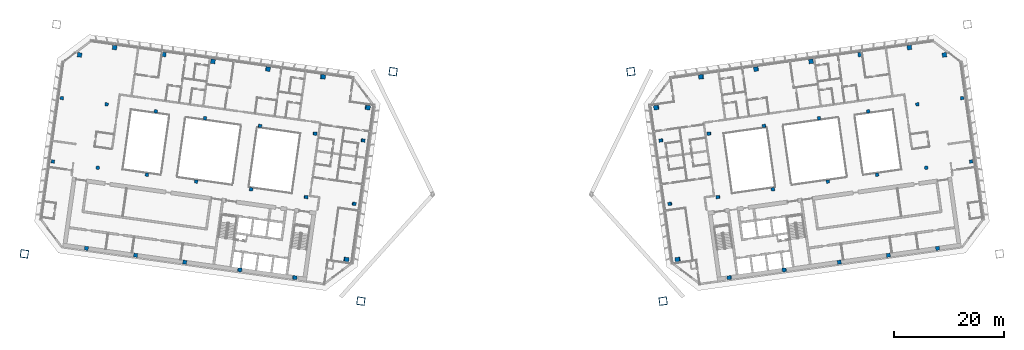
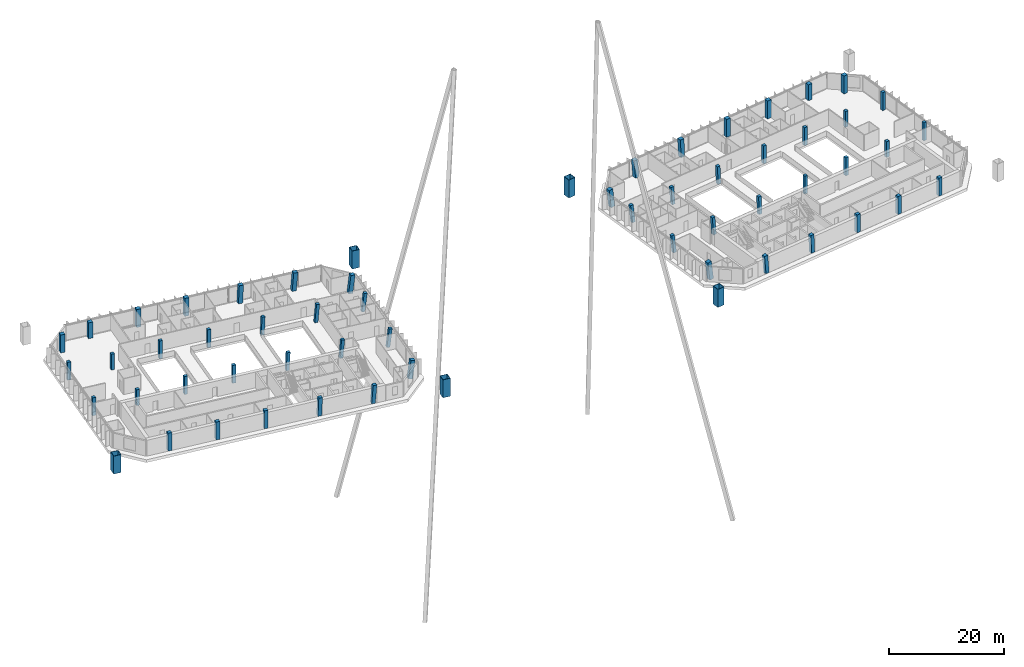
# One storey, part 1 of 26: 58 columns, 1 member.
"""IFC4 building model written with IfcOpenShell, lengths in metres."""

from ifc_helpers import new_model, si_unit, direction, frame, origin, origin_2d, place, context, subcontext, project, spatial, rectangle, hollow_rectangle, extrude, material, material_profile, profile_set, type_object, element, save


model = new_model("IFC4")

# Units and contexts
model_context = context("Model", 3, precision=1e-05, world=origin(), true_north=direction((0.0, 1.0)))
body_context = subcontext(model_context, "Body", "Model", "MODEL_VIEW")
ifc_project = project(units=[si_unit("LENGTHUNIT", "METRE"), si_unit("AREAUNIT", "SQUARE_METRE"), si_unit("VOLUMEUNIT", "CUBIC_METRE"), si_unit("PLANEANGLEUNIT", "RADIAN"), si_unit("MASSUNIT", "GRAM", prefix="KILO")], contexts=[model_context])

# Site, building, storey
site_placement = place(None, origin())
site = spatial("IfcSite", under=ifc_project, at=site_placement, CompositionType="ELEMENT")
building_placement = place(site_placement, origin())
building = spatial("IfcBuilding", under=site, at=building_placement, Name="Mirante Cascada Hotel Towers", CompositionType="ELEMENT")
storey_placement = place(building_placement, frame((0.0, 0.0, 203.0)))
storey = spatial("IfcBuildingStorey", under=building, at=storey_placement, Name="L48", CompositionType="ELEMENT", Elevation=203.0)

# Columns
ifc_material_1 = material(Name="Steel ASTM A572 Gr 50", Category="steel")
ifc_material_profile_1 = material_profile(ifc_material_1, hollow_rectangle(XDim=1.4, YDim=1.4, WallThickness=0.06, at=origin_2d()), Name="Box column 1400x1400x60 ASTM A572 Gr 50")
ifc_profile_set_1 = profile_set([ifc_material_profile_1], Name="Steel ASTM A572 Gr 50")
column_type_1 = type_object("IfcColumnType", Name="Box column 1400x1400x60 ASTM A572 Gr 50", PredefinedType="COLUMN", material=ifc_profile_set_1)
for number, where, z_axis, x_axis, name in (
    (1, (-21.5451, 18.0181, 0.0), (0.0, 0.0, 1.0), (-0.9902681, 0.1391731, 0.0), "Mega column MC1 T1 L48"),
    (2, (-27.3903, -23.5731, 0.0), (0.0, 0.0, 1.0), (-0.9902681, 0.1391731, 0.0), "Mega column MC2 T1 L48"),
    (3, (21.5451, 18.0181, 0.0), (0.0, 0.0, 1.0), (0.9902681, 0.1391731, 0.0), "Mega column MC1 T2 L48"),
    (4, (27.3903, -23.5731, 0.0), (0.0, 0.0, 1.0), (0.9902681, 0.1391731, 0.0), "Mega column MC2 T2 L48"),
):
    element("IfcColumn", number, at=place(storey_placement, frame(where, z_axis=z_axis, x_axis=x_axis)), inside=storey, type_object=column_type_1, Name=name, PredefinedType="COLUMN", context=body_context, shape_type="SweptSolid", body=[
        extrude(hollow_rectangle(XDim=1.4, YDim=1.4, WallThickness=0.06, at=origin_2d()), origin(), (0.0, 0.0, 1.0), 3.8),
    ])
ifc_material_2 = material(Name="Concrete C50/60", Category="concrete")
ifc_material_profile_2 = material_profile(ifc_material_2, rectangle(XDim=0.6, YDim=0.6, at=origin_2d()), Name="RC column 600x600 C50/60")
ifc_profile_set_2 = profile_set([ifc_material_profile_2], Name="Concrete C50/60")
column_type_2 = type_object("IfcColumnType", Name="RC column 600x600 C50/60", PredefinedType="COLUMN", material=ifc_profile_set_2)
for number, where, z_axis, x_axis, name in (
    (5, (-27.0607, 5.5646, 0.004), (0.1156587, -0.0162645, 0.9931558), (0.1392548, 0.9902566, 0.0), "Column T1 L48 2"),
    (6, (-28.6752, -5.9226, 0.004), (0.1156845, -0.0162383, 0.9931533), (0.1390041, 0.9902918, 0.0), "Column T1 L48 3"),
):
    element("IfcColumn", number, at=place(storey_placement, frame(where, z_axis=z_axis, x_axis=x_axis)), inside=storey, type_object=column_type_2, Name=name, PredefinedType="COLUMN", context=body_context, shape_type="SweptSolid", body=[
        extrude(rectangle(XDim=0.6, YDim=0.6, at=origin_2d()), origin(), (0.0, 0.0, 1.0), 3.8181),
    ])
column_1_placement = place(storey_placement, frame((-35.7632, 6.7876, 0.004), z_axis=(0.0835095, -0.011746, 0.9964378), x_axis=(0.1392835, 0.9902526, 0.0)))
element("IfcColumn", 7, at=column_1_placement, inside=storey, type_object=column_type_2, Name="Column T1 L48 6", PredefinedType="COLUMN", context=body_context, shape_type="SweptSolid", body=[
    extrude(rectangle(XDim=0.6, YDim=0.6, at=origin_2d()), origin(), (0.0, 0.0, 1.0), 3.8056),
])
column_2_placement = place(storey_placement, frame((-37.3776, -4.6995, 0.004), z_axis=(0.0834834, -0.011746, 0.9964399), x_axis=(0.1393265, 0.9902465, 0.0)))
element("IfcColumn", 8, at=column_2_placement, inside=storey, type_object=column_type_2, Name="Column T1 L48 7", PredefinedType="COLUMN", context=body_context, shape_type="SweptSolid", body=[
    extrude(rectangle(XDim=0.6, YDim=0.6, at=origin_2d()), origin(), (0.0, 0.0, 1.0), 3.8055),
])
for number, where, z_axis, x_axis, name in (
    (9, (-45.7005, 8.1842, 0.004), (0.0418665, -0.0058755, 0.9991059), (0.1389779, 0.9902955, 0.0), "Column T1 L48 10"),
    (10, (-47.3149, -3.3029, 0.004), (0.0418665, -0.0058755, 0.9991059), (0.1389779, 0.9902955, 0.0), "Column T1 L48 11"),
):
    element("IfcColumn", number, at=place(storey_placement, frame(where, z_axis=z_axis, x_axis=x_axis)), inside=storey, type_object=column_type_2, Name=name, PredefinedType="COLUMN", context=body_context, shape_type="SweptSolid", body=[
        extrude(rectangle(XDim=0.6, YDim=0.6, at=origin_2d()), origin(), (0.0, 0.0, 1.0), 3.7954),
    ])
for number, where, z_axis, x_axis, name in (
    (11, (-55.6378, 9.5808, 0.0), (0.0, 0.0, 1.0), (-0.9902681, 0.1391731, 0.0), "Column T1 L48 14"),
    (12, (-57.2522, -1.9063, 0.0), (0.0, 0.0, 1.0), (-0.9902681, 0.1391731, 0.0), "Column T1 L48 15"),
    (13, (-64.5502, 10.8333, 0.0), (0.0, 0.0, 1.0), (-0.9902681, 0.1391731, 0.0), "Column T1 L48 18"),
    (14, (-66.1646, -0.6538, 0.0), (0.0, 0.0, 1.0), (-0.9902681, 0.1391731, 0.0), "Column T1 L48 19"),
):
    element("IfcColumn", number, at=place(storey_placement, frame(where, z_axis=z_axis, x_axis=x_axis)), inside=storey, type_object=column_type_2, Name=name, PredefinedType="COLUMN", context=body_context, shape_type="SweptSolid", body=[
        extrude(rectangle(XDim=0.6, YDim=0.6, at=origin_2d()), origin(), (0.0, 0.0, 1.0), 3.8),
    ])
for number, where, z_axis, x_axis, name in (
    (15, (-73.4626, 12.0859, 0.0), (0.0, 0.0, 1.0), (-0.9902681, 0.1391731, 0.0), "Column T1 L48 22"),
    (16, (-75.077, 0.5988, 0.0), (0.0, 0.0, 1.0), (-0.9902681, 0.1391731, 0.0), "Column T1 L48 23"),
):
    element("IfcColumn", number, at=place(storey_placement, frame(where, z_axis=z_axis, x_axis=x_axis)), inside=storey, type_object=column_type_2, Name=name, PredefinedType="COLUMN", context=body_context, shape_type="SweptSolid", body=[
        extrude(rectangle(XDim=0.6, YDim=0.6, at=origin_2d()), origin(), (0.0, 0.0, 1.0), 3.3539),
    ])
for number, where, z_axis, x_axis, name in (
    (17, (-81.5828, 13.2271, 0.0), (0.0, 0.0, 1.0), (-0.9902681, 0.1391731, 0.0), "Column T1 L48 26"),
    (18, (-83.1972, 1.74, 0.0), (0.0, 0.0, 1.0), (-0.9902681, 0.1391731, 0.0), "Column T1 L48 27"),
):
    element("IfcColumn", number, at=place(storey_placement, frame(where, z_axis=z_axis, x_axis=x_axis)), inside=storey, type_object=column_type_2, Name=name, PredefinedType="COLUMN", context=body_context, shape_type="SweptSolid", body=[
        extrude(rectangle(XDim=0.6, YDim=0.6, at=origin_2d()), origin(), (0.0, 0.0, 1.0), 3.8),
    ])
for number, where, z_axis, x_axis, name in (
    (19, (27.0607, 5.5646, 0.004), (-0.1156587, -0.0162645, 0.9931558), (0.1392548, -0.9902566, 0.0), "Column T2 L48 2"),
    (20, (28.6752, -5.9226, 0.004), (-0.1156845, -0.0162383, 0.9931533), (0.1390041, -0.9902918, 0.0), "Column T2 L48 3"),
):
    element("IfcColumn", number, at=place(storey_placement, frame(where, z_axis=z_axis, x_axis=x_axis)), inside=storey, type_object=column_type_2, Name=name, PredefinedType="COLUMN", context=body_context, shape_type="SweptSolid", body=[
        extrude(rectangle(XDim=0.6, YDim=0.6, at=origin_2d()), origin(), (0.0, 0.0, 1.0), 3.8181),
    ])
column_3_placement = place(storey_placement, frame((35.7632, 6.7876, 0.004), z_axis=(-0.0835095, -0.011746, 0.9964378), x_axis=(0.1392835, -0.9902526, 0.0)))
element("IfcColumn", 21, at=column_3_placement, inside=storey, type_object=column_type_2, Name="Column T2 L48 6", PredefinedType="COLUMN", context=body_context, shape_type="SweptSolid", body=[
    extrude(rectangle(XDim=0.6, YDim=0.6, at=origin_2d()), origin(), (0.0, 0.0, 1.0), 3.8056),
])
column_4_placement = place(storey_placement, frame((37.3776, -4.6995, 0.004), z_axis=(-0.0834834, -0.011746, 0.9964399), x_axis=(0.1393265, -0.9902465, 0.0)))
element("IfcColumn", 22, at=column_4_placement, inside=storey, type_object=column_type_2, Name="Column T2 L48 7", PredefinedType="COLUMN", context=body_context, shape_type="SweptSolid", body=[
    extrude(rectangle(XDim=0.6, YDim=0.6, at=origin_2d()), origin(), (0.0, 0.0, 1.0), 3.8055),
])
for number, where, z_axis, x_axis, name in (
    (23, (45.7005, 8.1842, 0.004), (-0.0418665, -0.0058755, 0.9991059), (0.1389779, -0.9902955, 0.0), "Column T2 L48 10"),
    (24, (47.3149, -3.3029, 0.004), (-0.0418665, -0.0058755, 0.9991059), (0.1389779, -0.9902955, 0.0), "Column T2 L48 11"),
):
    element("IfcColumn", number, at=place(storey_placement, frame(where, z_axis=z_axis, x_axis=x_axis)), inside=storey, type_object=column_type_2, Name=name, PredefinedType="COLUMN", context=body_context, shape_type="SweptSolid", body=[
        extrude(rectangle(XDim=0.6, YDim=0.6, at=origin_2d()), origin(), (0.0, 0.0, 1.0), 3.7954),
    ])
for number, where, z_axis, x_axis, name in (
    (25, (55.6378, 9.5808, 0.0), (0.0, 0.0, 1.0), (0.9902681, 0.1391731, 0.0), "Column T2 L48 14"),
    (26, (57.2522, -1.9063, 0.0), (0.0, 0.0, 1.0), (0.9902681, 0.1391731, 0.0), "Column T2 L48 15"),
    (27, (64.5502, 10.8333, 0.0), (0.0, 0.0, 1.0), (0.9902681, 0.1391731, 0.0), "Column T2 L48 18"),
    (28, (66.1646, -0.6538, 0.0), (0.0, 0.0, 1.0), (0.9902681, 0.1391731, 0.0), "Column T2 L48 19"),
):
    element("IfcColumn", number, at=place(storey_placement, frame(where, z_axis=z_axis, x_axis=x_axis)), inside=storey, type_object=column_type_2, Name=name, PredefinedType="COLUMN", context=body_context, shape_type="SweptSolid", body=[
        extrude(rectangle(XDim=0.6, YDim=0.6, at=origin_2d()), origin(), (0.0, 0.0, 1.0), 3.8),
    ])
for number, where, z_axis, x_axis, name in (
    (29, (73.4626, 12.0859, 0.0), (0.0, 0.0, 1.0), (0.9902681, 0.1391731, 0.0), "Column T2 L48 22"),
    (30, (75.077, 0.5988, 0.0), (0.0, 0.0, 1.0), (0.9902681, 0.1391731, 0.0), "Column T2 L48 23"),
):
    element("IfcColumn", number, at=place(storey_placement, frame(where, z_axis=z_axis, x_axis=x_axis)), inside=storey, type_object=column_type_2, Name=name, PredefinedType="COLUMN", context=body_context, shape_type="SweptSolid", body=[
        extrude(rectangle(XDim=0.6, YDim=0.6, at=origin_2d()), origin(), (0.0, 0.0, 1.0), 3.3539),
    ])
for number, where, z_axis, x_axis, name in (
    (31, (81.5828, 13.2271, 0.0), (0.0, 0.0, 1.0), (0.9902681, 0.1391731, 0.0), "Column T2 L48 26"),
    (32, (83.1972, 1.74, 0.0), (0.0, 0.0, 1.0), (0.9902681, 0.1391731, 0.0), "Column T2 L48 27"),
):
    element("IfcColumn", number, at=place(storey_placement, frame(where, z_axis=z_axis, x_axis=x_axis)), inside=storey, type_object=column_type_2, Name=name, PredefinedType="COLUMN", context=body_context, shape_type="SweptSolid", body=[
        extrude(rectangle(XDim=0.6, YDim=0.6, at=origin_2d()), origin(), (0.0, 0.0, 1.0), 3.8),
    ])
ifc_material_3 = material(Name="Concrete C50/60", Category="concrete")
ifc_material_profile_3 = material_profile(ifc_material_3, rectangle(XDim=0.7, YDim=0.7, at=origin_2d()), Name="RC column 700x700 C50/60")
ifc_profile_set_3 = profile_set([ifc_material_profile_3], Name="Concrete C50/60")
column_type_3 = type_object("IfcColumnType", Name="RC column 700x700 C50/60", PredefinedType="COLUMN", material=ifc_profile_set_3)
column_5_placement = place(storey_placement, frame((-39.4304, -19.306, 0.004), z_axis=(0.0834834, -0.0117197, 0.9964402), x_axis=(0.1390208, 0.9902895, 0.0)))
element("IfcColumn", 33, at=column_5_placement, inside=storey, type_object=column_type_3, Name="Column T1 L48 8", PredefinedType="COLUMN", context=body_context, shape_type="SweptSolid", body=[
    extrude(rectangle(XDim=0.7, YDim=0.7, at=origin_2d()), origin(), (0.0, 0.0, 1.0), 3.8055),
])
column_6_placement = place(storey_placement, frame((-49.3677, -17.9094, 0.004), z_axis=(0.0418665, -0.0058755, 0.9991059), x_axis=(0.1389779, 0.9902955, 0.0)))
element("IfcColumn", 34, at=column_6_placement, inside=storey, type_object=column_type_3, Name="Column T1 L48 12", PredefinedType="COLUMN", context=body_context, shape_type="SweptSolid", body=[
    extrude(rectangle(XDim=0.7, YDim=0.7, at=origin_2d()), origin(), (0.0, 0.0, 1.0), 3.7954),
])
for number, where, z_axis, x_axis, name in (
    (35, (-59.305, -16.5128, 0.0), (0.0, 0.0, 1.0), (-0.9902681, 0.1391731, 0.0), "Column T1 L48 16"),
    (36, (-68.2174, -15.2602, 0.0), (0.0, 0.0, 1.0), (-0.9902681, 0.1391731, 0.0), "Column T1 L48 20"),
    (37, (-77.1298, -14.0077, 0.0), (0.0, 0.0, 1.0), (-0.9902681, 0.1391731, 0.0), "Column T1 L48 24"),
):
    element("IfcColumn", number, at=place(storey_placement, frame(where, z_axis=z_axis, x_axis=x_axis)), inside=storey, type_object=column_type_3, Name=name, PredefinedType="COLUMN", context=body_context, shape_type="SweptSolid", body=[
        extrude(rectangle(XDim=0.7, YDim=0.7, at=origin_2d()), origin(), (0.0, 0.0, 1.0), 3.8),
    ])
column_7_placement = place(storey_placement, frame((39.4304, -19.306, 0.004), z_axis=(-0.0834834, -0.0117197, 0.9964402), x_axis=(0.1390208, -0.9902895, 0.0)))
element("IfcColumn", 38, at=column_7_placement, inside=storey, type_object=column_type_3, Name="Column T2 L48 8", PredefinedType="COLUMN", context=body_context, shape_type="SweptSolid", body=[
    extrude(rectangle(XDim=0.7, YDim=0.7, at=origin_2d()), origin(), (0.0, 0.0, 1.0), 3.8055),
])
column_8_placement = place(storey_placement, frame((49.3677, -17.9094, 0.004), z_axis=(-0.0418665, -0.0058755, 0.9991059), x_axis=(0.1389779, -0.9902955, 0.0)))
element("IfcColumn", 39, at=column_8_placement, inside=storey, type_object=column_type_3, Name="Column T2 L48 12", PredefinedType="COLUMN", context=body_context, shape_type="SweptSolid", body=[
    extrude(rectangle(XDim=0.7, YDim=0.7, at=origin_2d()), origin(), (0.0, 0.0, 1.0), 3.7954),
])
for number, where, z_axis, x_axis, name in (
    (40, (59.305, -16.5128, 0.0), (0.0, 0.0, 1.0), (0.9902681, 0.1391731, 0.0), "Column T2 L48 16"),
    (41, (68.2174, -15.2602, 0.0), (0.0, 0.0, 1.0), (0.9902681, 0.1391731, 0.0), "Column T2 L48 20"),
    (42, (77.1298, -14.0077, 0.0), (0.0, 0.0, 1.0), (0.9902681, 0.1391731, 0.0), "Column T2 L48 24"),
):
    element("IfcColumn", number, at=place(storey_placement, frame(where, z_axis=z_axis, x_axis=x_axis)), inside=storey, type_object=column_type_3, Name=name, PredefinedType="COLUMN", context=body_context, shape_type="SweptSolid", body=[
        extrude(rectangle(XDim=0.7, YDim=0.7, at=origin_2d()), origin(), (0.0, 0.0, 1.0), 3.8),
    ])
ifc_material_4 = material(Name="Concrete C50/60", Category="concrete")
ifc_material_profile_4 = material_profile(ifc_material_4, rectangle(XDim=0.8, YDim=0.8, at=origin_2d()), Name="RC column 800x800 C50/60")
ifc_profile_set_4 = profile_set([ifc_material_profile_4], Name="Concrete C50/60")
column_type_4 = type_object("IfcColumnType", Name="RC column 800x800 C50/60", PredefinedType="COLUMN", material=ifc_profile_set_4)
for number, where, z_axis, x_axis, name in (
    (43, (-26.2257, 11.5062, 0.004), (0.1156587, -0.0162645, 0.9931558), (0.1392548, 0.9902566, 0.0), "Column T1 L48 1"),
    (44, (-30.0947, -16.0233, 0.004), (0.1156587, -0.0162645, 0.9931558), (0.1392548, 0.9902566, 0.0), "Column T1 L48 4"),
):
    element("IfcColumn", number, at=place(storey_placement, frame(where, z_axis=z_axis, x_axis=x_axis)), inside=storey, type_object=column_type_4, Name=name, PredefinedType="COLUMN", context=body_context, shape_type="SweptSolid", body=[
        extrude(rectangle(XDim=0.8, YDim=0.8, at=origin_2d()), origin(), (0.0, 0.0, 1.0), 3.8181),
    ])
column_9_placement = place(storey_placement, frame((-34.3158, 17.0864, 0.004), z_axis=(0.0835095, -0.011746, 0.9964378), x_axis=(0.1392835, 0.9902526, 0.0)))
element("IfcColumn", 45, at=column_9_placement, inside=storey, type_object=column_type_4, Name="Column T1 L48 5", PredefinedType="COLUMN", context=body_context, shape_type="SweptSolid", body=[
    extrude(rectangle(XDim=0.8, YDim=0.8, at=origin_2d()), origin(), (0.0, 0.0, 1.0), 3.8056),
])
column_10_placement = place(storey_placement, frame((-44.2531, 18.483, 0.004), z_axis=(0.0418665, -0.0058755, 0.9991059), x_axis=(0.1389779, 0.9902955, 0.0)))
element("IfcColumn", 46, at=column_10_placement, inside=storey, type_object=column_type_4, Name="Column T1 L48 9", PredefinedType="COLUMN", context=body_context, shape_type="SweptSolid", body=[
    extrude(rectangle(XDim=0.8, YDim=0.8, at=origin_2d()), origin(), (0.0, 0.0, 1.0), 3.7954),
])
for number, where, z_axis, x_axis, name in (
    (47, (-54.1904, 19.8796, 0.0), (0.0, 0.0, 1.0), (-0.9902681, 0.1391731, 0.0), "Column T1 L48 13"),
    (48, (-63.1028, 21.1321, 0.0), (0.0, 0.0, 1.0), (-0.9902681, 0.1391731, 0.0), "Column T1 L48 17"),
):
    element("IfcColumn", number, at=place(storey_placement, frame(where, z_axis=z_axis, x_axis=x_axis)), inside=storey, type_object=column_type_4, Name=name, PredefinedType="COLUMN", context=body_context, shape_type="SweptSolid", body=[
        extrude(rectangle(XDim=0.8, YDim=0.8, at=origin_2d()), origin(), (0.0, 0.0, 1.0), 3.8),
    ])
column_11_placement = place(storey_placement, frame((-72.0152, 22.3847, 0.0), z_axis=(0.0, 0.0, 1.0), x_axis=(-0.9902681, 0.1391731, 0.0)))
element("IfcColumn", 49, at=column_11_placement, inside=storey, type_object=column_type_4, Name="Column T1 L48 21", PredefinedType="COLUMN", context=body_context, shape_type="SweptSolid", body=[
    extrude(rectangle(XDim=0.8, YDim=0.8, at=origin_2d()), origin(), (0.0, 0.0, 1.0), 3.3529),
])
column_12_placement = place(storey_placement, frame((-78.362, 21.0551, 0.0), z_axis=(0.0, 0.0, 1.0), x_axis=(-0.9902681, 0.1391731, 0.0)))
element("IfcColumn", 50, at=column_12_placement, inside=storey, type_object=column_type_4, Name="Column T1 L48 25", PredefinedType="COLUMN", context=body_context, shape_type="SweptSolid", body=[
    extrude(rectangle(XDim=0.8, YDim=0.8, at=origin_2d()), origin(), (0.0, 0.0, 1.0), 3.8),
])
for number, where, z_axis, x_axis, name in (
    (51, (26.2257, 11.5062, 0.004), (-0.1156587, -0.0162645, 0.9931558), (0.1392548, -0.9902566, 0.0), "Column T2 L48 1"),
    (52, (30.0947, -16.0233, 0.004), (-0.1156587, -0.0162645, 0.9931558), (0.1392548, -0.9902566, 0.0), "Column T2 L48 4"),
):
    element("IfcColumn", number, at=place(storey_placement, frame(where, z_axis=z_axis, x_axis=x_axis)), inside=storey, type_object=column_type_4, Name=name, PredefinedType="COLUMN", context=body_context, shape_type="SweptSolid", body=[
        extrude(rectangle(XDim=0.8, YDim=0.8, at=origin_2d()), origin(), (0.0, 0.0, 1.0), 3.8181),
    ])
column_13_placement = place(storey_placement, frame((34.3158, 17.0864, 0.004), z_axis=(-0.0835095, -0.011746, 0.9964378), x_axis=(0.1392835, -0.9902526, 0.0)))
element("IfcColumn", 53, at=column_13_placement, inside=storey, type_object=column_type_4, Name="Column T2 L48 5", PredefinedType="COLUMN", context=body_context, shape_type="SweptSolid", body=[
    extrude(rectangle(XDim=0.8, YDim=0.8, at=origin_2d()), origin(), (0.0, 0.0, 1.0), 3.8056),
])
column_14_placement = place(storey_placement, frame((44.2531, 18.483, 0.004), z_axis=(-0.0418665, -0.0058755, 0.9991059), x_axis=(0.1389779, -0.9902955, 0.0)))
element("IfcColumn", 54, at=column_14_placement, inside=storey, type_object=column_type_4, Name="Column T2 L48 9", PredefinedType="COLUMN", context=body_context, shape_type="SweptSolid", body=[
    extrude(rectangle(XDim=0.8, YDim=0.8, at=origin_2d()), origin(), (0.0, 0.0, 1.0), 3.7954),
])
for number, where, z_axis, x_axis, name in (
    (55, (54.1904, 19.8796, 0.0), (0.0, 0.0, 1.0), (0.9902681, 0.1391731, 0.0), "Column T2 L48 13"),
    (56, (63.1028, 21.1321, 0.0), (0.0, 0.0, 1.0), (0.9902681, 0.1391731, 0.0), "Column T2 L48 17"),
):
    element("IfcColumn", number, at=place(storey_placement, frame(where, z_axis=z_axis, x_axis=x_axis)), inside=storey, type_object=column_type_4, Name=name, PredefinedType="COLUMN", context=body_context, shape_type="SweptSolid", body=[
        extrude(rectangle(XDim=0.8, YDim=0.8, at=origin_2d()), origin(), (0.0, 0.0, 1.0), 3.8),
    ])
column_15_placement = place(storey_placement, frame((72.0152, 22.3847, 0.0), z_axis=(0.0, 0.0, 1.0), x_axis=(0.9902681, 0.1391731, 0.0)))
element("IfcColumn", 57, at=column_15_placement, inside=storey, type_object=column_type_4, Name="Column T2 L48 21", PredefinedType="COLUMN", context=body_context, shape_type="SweptSolid", body=[
    extrude(rectangle(XDim=0.8, YDim=0.8, at=origin_2d()), origin(), (0.0, 0.0, 1.0), 3.3529),
])
column_16_placement = place(storey_placement, frame((78.362, 21.0551, 0.0), z_axis=(0.0, 0.0, 1.0), x_axis=(0.9902681, 0.1391731, 0.0)))
element("IfcColumn", 58, at=column_16_placement, inside=storey, type_object=column_type_4, Name="Column T2 L48 25", PredefinedType="COLUMN", context=body_context, shape_type="SweptSolid", body=[
    extrude(rectangle(XDim=0.8, YDim=0.8, at=origin_2d()), origin(), (0.0, 0.0, 1.0), 3.8),
])

# Member
ifc_material_5 = material(Name="Steel ASTM A572 Gr 50", Category="steel")
ifc_material_profile_5 = material_profile(ifc_material_5, hollow_rectangle(XDim=1.4, YDim=1.4, WallThickness=0.06, at=origin_2d()), Name="Box post 1400x1400x60 ASTM A572 Gr 50")
ifc_profile_set_5 = profile_set([ifc_material_profile_5], Name="Steel ASTM A572 Gr 50")
member_type = type_object("IfcMemberType", Name="Box post 1400x1400x60 ASTM A572 Gr 50", PredefinedType="POST", material=ifc_profile_set_5)
member_placement = place(storey_placement, frame((-88.3776, -15.0019, 0.0), z_axis=(0.0, 0.0, 1.0), x_axis=(-0.9902681, 0.1391731, 0.0)))
element("IfcMember", 59, at=member_placement, inside=storey, type_object=member_type, Name="Mega column MP4 T1 L48", PredefinedType="POST", context=body_context, shape_type="SweptSolid", body=[
    extrude(hollow_rectangle(XDim=1.4, YDim=1.4, WallThickness=0.06, at=origin_2d()), origin(), (0.0, 0.0, 1.0), 3.8),
])

save(model, "model.ifc")
